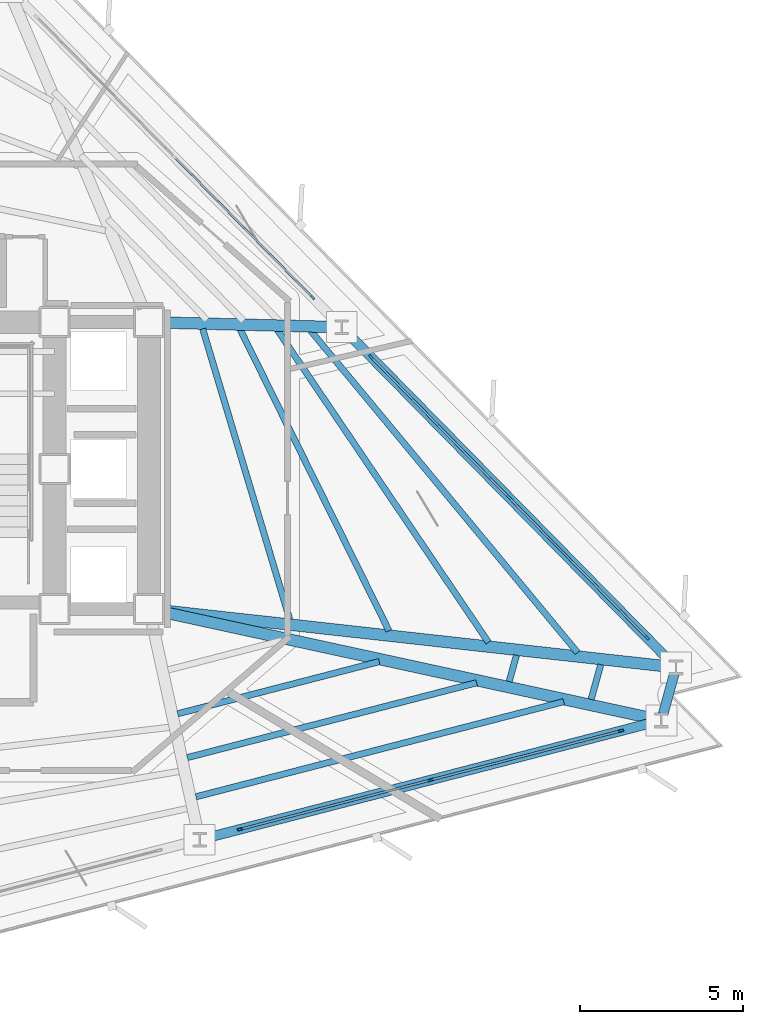
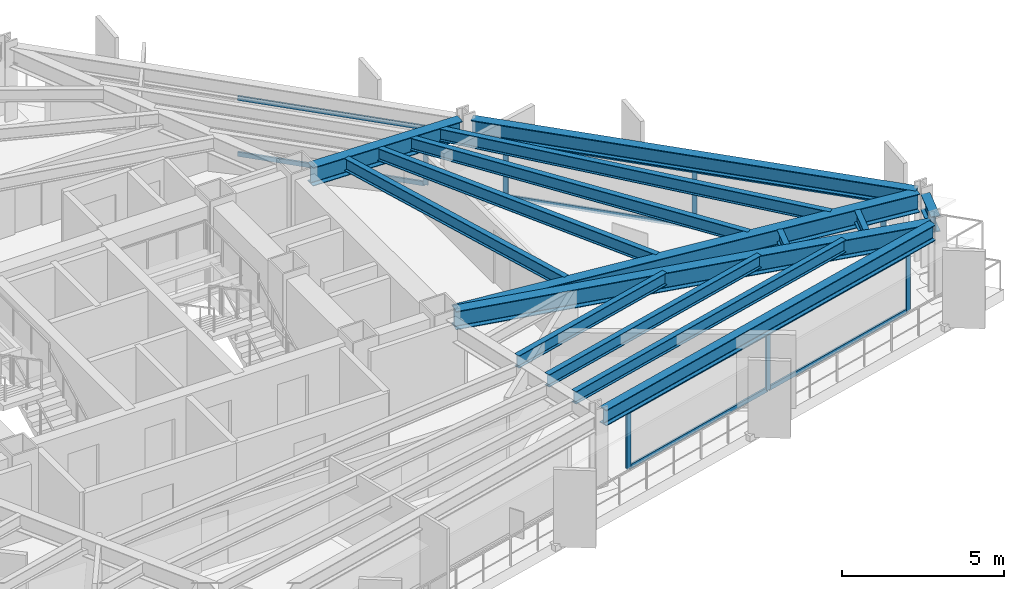
# One storey, part 4 of 11: 17 members, 15 beams, 3 elements without a shape of their own.
"""IFC4 building model written with IfcOpenShell, lengths in metres."""

from ifc_helpers import new_model, si_unit, direction, frame, origin, origin_2d, place, context, subcontext, project, spatial, rectangle, i_section, extrude, material, layer, layer_set, material_profile, profile_set, type_object, element, aggregate, save


model = new_model("IFC4")

# Units and contexts
model_context = context("Model", 3, precision=1e-05, world=origin(), true_north=direction((0.0, 1.0)))
body_context = subcontext(model_context, "Body", "Model", "MODEL_VIEW")
ifc_project = project(units=[si_unit("LENGTHUNIT", "METRE"), si_unit("AREAUNIT", "SQUARE_METRE"), si_unit("VOLUMEUNIT", "CUBIC_METRE"), si_unit("PLANEANGLEUNIT", "RADIAN"), si_unit("MASSUNIT", "GRAM", prefix="KILO")], contexts=[model_context])

# Site, building, storey
site_placement = place(None, origin())
site = spatial("IfcSite", under=ifc_project, at=site_placement, CompositionType="ELEMENT")
building_placement = place(site_placement, origin())
building = spatial("IfcBuilding", under=site, at=building_placement, Name="Rocaltana Carrier Exchange", CompositionType="ELEMENT")
storey_placement = place(building_placement, frame((0.0, 0.0, 76.47998046875)))
storey = spatial("IfcBuildingStorey", under=building, at=storey_placement, Name="L23", CompositionType="ELEMENT", Elevation=76.47998046875)

# Curtain wall, members
ifc_material_1 = material(Name="Aluminium 6063-T6", Category="aluminium")
ifc_layer = layer(ifc_material_1, 0.1650390625)
ifc_layer_set = layer_set([ifc_layer], Name="Aluminium 6063-T6")
curtain_wall_type = type_object("IfcCurtainWallType", Name="Lower-Mid Stepped Curtain Wall CW-02", PredefinedType="NOTDEFINED", material=ifc_layer_set)
curtain_wall_1_placement = place(storey_placement, origin())
curtain_wall_1 = element("IfcCurtainWall", 1, at=curtain_wall_1_placement, inside=storey, type_object=curtain_wall_type, Name="L23 CW-02 Run CW-L23-F1S1", PredefinedType="NOTDEFINED")
ifc_material_2 = material(Name="Aluminium 6063-T6", Category="aluminium")
ifc_material_profile_1 = material_profile(ifc_material_2, rectangle(XDim=0.06494140625, YDim=0.1650390625, at=origin_2d()), Name="AL-65X165")
ifc_profile_set_1 = profile_set([ifc_material_profile_1], Name="Aluminium 6063-T6")
member_type_1 = type_object("IfcMemberType", Name="CW-02 Mullion AL-65X165", PredefinedType="MULLION", material=ifc_profile_set_1)
member_1_placement = place(storey_placement, frame((24.21875, -5.1767578125, 0.0), z_axis=(0.0, 0.0, 1.0), x_axis=(-0.713244767898, -0.700915045542, 0.0)))
member_1 = element("IfcMember", 2, at=member_1_placement, type_object=member_type_1, Name="CW-02 mullion 1", PredefinedType="MULLION", context=body_context, shape_type="SweptSolid", body=[
    extrude(rectangle(XDim=0.06494140625, YDim=0.1650390625, at=origin_2d()), origin(), (0.0, 0.0, 1.0), 2.16796875),
])
member_2_placement = place(storey_placement, frame((19.989501953125, -0.872802734375, 0.0), z_axis=(0.0, 0.0, 1.0), x_axis=(-0.713244767898, -0.700915045542, 0.0)))
member_2 = element("IfcMember", 3, at=member_2_placement, type_object=member_type_1, Name="CW-02 mullion 2", PredefinedType="MULLION", context=body_context, shape_type="SweptSolid", body=[
    extrude(rectangle(XDim=0.06494140625, YDim=0.1650390625, at=origin_2d()), origin(), (0.0, 0.0, 1.0), 2.16796875),
])
member_3_placement = place(storey_placement, frame((15.760009765625, 3.430908203125, 0.0), z_axis=(0.0, 0.0, 1.0), x_axis=(-0.713244767898, -0.700915045542, 0.0)))
member_3 = element("IfcMember", 4, at=member_3_placement, type_object=member_type_1, Name="CW-02 mullion 3", PredefinedType="MULLION", context=body_context, shape_type="SweptSolid", body=[
    extrude(rectangle(XDim=0.06494140625, YDim=0.1650390625, at=origin_2d()), origin(), (0.0, 0.0, 1.0), 2.16796875),
])

# Curtain wall, member
curtain_wall_2_placement = place(storey_placement, origin())
curtain_wall_2 = element("IfcCurtainWall", 5, at=curtain_wall_2_placement, inside=storey, type_object=curtain_wall_type, Name="L23 CW-02 Run CW-L23-F1S2", PredefinedType="NOTDEFINED")
member_4_placement = place(storey_placement, frame((13.962158203125, 5.260498046875, 0.0), z_axis=(0.0, 0.0, 1.0), x_axis=(-0.713244696676, -0.700915118017, 0.0)))
member_4 = element("IfcMember", 6, at=member_4_placement, type_object=member_type_1, Name="CW-02 mullion 1", PredefinedType="MULLION", context=body_context, shape_type="SweptSolid", body=[
    extrude(rectangle(XDim=0.06494140625, YDim=0.1650390625, at=origin_2d()), origin(), (0.0, 0.0, 1.0), 2.16796875),
])

# Curtain wall, members
curtain_wall_3_placement = place(storey_placement, origin())
curtain_wall_3 = element("IfcCurtainWall", 7, at=curtain_wall_3_placement, inside=storey, type_object=curtain_wall_type, Name="L23 CW-02 Run CW-L23-F3S3", PredefinedType="NOTDEFINED")
member_5_placement = place(storey_placement, frame((11.741943359375, -11.057861328125, 0.0), z_axis=(0.0, 0.0, 1.0), x_axis=(-0.250370035526, 0.96815021836, 0.0)))
member_5 = element("IfcMember", 8, at=member_5_placement, type_object=member_type_1, Name="CW-02 mullion 1", PredefinedType="MULLION", context=body_context, shape_type="SweptSolid", body=[
    extrude(rectangle(XDim=0.06494140625, YDim=0.1650390625, at=origin_2d()), origin(), (0.0, 0.0, 1.0), 2.16796875),
])
member_6_placement = place(storey_placement, frame((17.583740234375, -9.547119140625, 0.0), z_axis=(0.0, 0.0, 1.0), x_axis=(-0.250370035526, 0.96815021836, 0.0)))
member_6 = element("IfcMember", 9, at=member_6_placement, type_object=member_type_1, Name="CW-02 mullion 2", PredefinedType="MULLION", context=body_context, shape_type="SweptSolid", body=[
    extrude(rectangle(XDim=0.06494140625, YDim=0.1650390625, at=origin_2d()), origin(), (0.0, 0.0, 1.0), 2.16796875),
])
member_7_placement = place(storey_placement, frame((23.42578125, -8.036376953125, 0.0), z_axis=(0.0, 0.0, 1.0), x_axis=(-0.250370035526, 0.96815021836, 0.0)))
member_7 = element("IfcMember", 10, at=member_7_placement, type_object=member_type_1, Name="CW-02 mullion 3", PredefinedType="MULLION", context=body_context, shape_type="SweptSolid", body=[
    extrude(rectangle(XDim=0.06494140625, YDim=0.1650390625, at=origin_2d()), origin(), (0.0, 0.0, 1.0), 2.16796875),
])

# Member
ifc_material_3 = material(Name="Aluminium 6063-T6", Category="aluminium")
ifc_material_profile_2 = material_profile(ifc_material_3, rectangle(XDim=0.06494140625, YDim=0.1650390625, at=origin_2d()), Name="AL-65X165")
ifc_profile_set_2 = profile_set([ifc_material_profile_2], Name="Aluminium 6063-T6")
member_type_2 = type_object("IfcMemberType", Name="CW-02 Transom AL-65X165", PredefinedType="USERDEFINED", material=ifc_profile_set_2)
member_8_placement = place(storey_placement, frame((24.196044921875, -5.153564453125, 0.032470703125), z_axis=(-0.700903905011, 0.713255715673, 0.0), x_axis=(-0.713255715673, -0.700903905011, 0.0)))
member_8 = element("IfcMember", 11, at=member_8_placement, type_object=member_type_2, Name="CW-02 transom 1.1", ObjectType="TRANSOM", PredefinedType="USERDEFINED", context=body_context, shape_type="SweptSolid", body=[
    extrude(rectangle(XDim=0.06494140625, YDim=0.1650390625, at=origin_2d()), origin(), (0.0, 0.0, 1.0), 5.96923828125),
])

member_9_placement = place(storey_placement, frame((24.196044921875, -5.153564453125, 2.135498046875), z_axis=(-0.700903905011, 0.713255715673, 0.0), x_axis=(-0.713255715673, -0.700903905011, 0.0)))
member_9 = element("IfcMember", 12, at=member_9_placement, type_object=member_type_2, Name="CW-02 transom 1.2", ObjectType="TRANSOM", PredefinedType="USERDEFINED", context=body_context, shape_type="SweptSolid", body=[
    extrude(rectangle(XDim=0.06494140625, YDim=0.1650390625, at=origin_2d()), origin(), (0.0, 0.0, 1.0), 5.96923828125),
])

member_10_placement = place(storey_placement, frame((19.966552734375, -0.849609375, 0.032470703125), z_axis=(-0.700924352217, 0.713235621985, 0.0), x_axis=(-0.713235621985, -0.700924352217, 0.0)))
member_10 = element("IfcMember", 13, at=member_10_placement, type_object=member_type_2, Name="CW-02 transom 2.1", ObjectType="TRANSOM", PredefinedType="USERDEFINED", context=body_context, shape_type="SweptSolid", body=[
    extrude(rectangle(XDim=0.06494140625, YDim=0.1650390625, at=origin_2d()), origin(), (0.0, 0.0, 1.0), 5.968994140625),
])

member_11_placement = place(storey_placement, frame((19.966552734375, -0.849609375, 2.135498046875), z_axis=(-0.700924352217, 0.713235621985, 0.0), x_axis=(-0.713235621985, -0.700924352217, 0.0)))
member_11 = element("IfcMember", 14, at=member_11_placement, type_object=member_type_2, Name="CW-02 transom 2.2", ObjectType="TRANSOM", PredefinedType="USERDEFINED", context=body_context, shape_type="SweptSolid", body=[
    extrude(rectangle(XDim=0.06494140625, YDim=0.1650390625, at=origin_2d()), origin(), (0.0, 0.0, 1.0), 5.968994140625),
])

aggregate(curtain_wall_1, [member_1, member_2, member_3, member_8, member_9, member_10, member_11])

member_12_placement = place(storey_placement, frame((13.939453125, 5.28369140625, 0.032470703125), z_axis=(-0.700903905011, 0.713255715673, 0.0), x_axis=(-0.713255715673, -0.700903905011, 0.0)))
member_12 = element("IfcMember", 15, at=member_12_placement, type_object=member_type_2, Name="CW-02 transom 1.1", ObjectType="TRANSOM", PredefinedType="USERDEFINED", context=body_context, shape_type="SweptSolid", body=[
    extrude(rectangle(XDim=0.06494140625, YDim=0.1650390625, at=origin_2d()), origin(), (0.0, 0.0, 1.0), 5.96923828125),
])

member_13_placement = place(storey_placement, frame((13.939453125, 5.28369140625, 2.135498046875), z_axis=(-0.700903905011, 0.713255715673, 0.0), x_axis=(-0.713255715673, -0.700903905011, 0.0)))
member_13 = element("IfcMember", 16, at=member_13_placement, type_object=member_type_2, Name="CW-02 transom 1.2", ObjectType="TRANSOM", PredefinedType="USERDEFINED", context=body_context, shape_type="SweptSolid", body=[
    extrude(rectangle(XDim=0.06494140625, YDim=0.1650390625, at=origin_2d()), origin(), (0.0, 0.0, 1.0), 5.96923828125),
])

aggregate(curtain_wall_2, [member_4, member_12, member_13])

member_14_placement = place(storey_placement, frame((11.7734375, -11.0498046875, 0.032470703125), z_axis=(0.968142466864, 0.250400007695, 0.0), x_axis=(-0.250400007695, 0.968142466864, 0.0)))
member_14 = element("IfcMember", 17, at=member_14_placement, type_object=member_type_2, Name="CW-02 transom 1.1", ObjectType="TRANSOM", PredefinedType="USERDEFINED", context=body_context, shape_type="SweptSolid", body=[
    extrude(rectangle(XDim=0.06494140625, YDim=0.1650390625, at=origin_2d()), origin(), (0.0, 0.0, 1.0), 5.968994140625),
])

member_15_placement = place(storey_placement, frame((11.7734375, -11.0498046875, 2.135498046875), z_axis=(0.968142466864, 0.250400007695, 0.0), x_axis=(-0.250400007695, 0.968142466864, 0.0)))
member_15 = element("IfcMember", 18, at=member_15_placement, type_object=member_type_2, Name="CW-02 transom 1.2", ObjectType="TRANSOM", PredefinedType="USERDEFINED", context=body_context, shape_type="SweptSolid", body=[
    extrude(rectangle(XDim=0.06494140625, YDim=0.1650390625, at=origin_2d()), origin(), (0.0, 0.0, 1.0), 5.968994140625),
])

member_16_placement = place(storey_placement, frame((17.615234375, -9.5390625, 0.032470703125), z_axis=(0.968145031253, 0.250390092575, 0.0), x_axis=(-0.250390092575, 0.968145031253, 0.0)))
member_16 = element("IfcMember", 19, at=member_16_placement, type_object=member_type_2, Name="CW-02 transom 2.1", ObjectType="TRANSOM", PredefinedType="USERDEFINED", context=body_context, shape_type="SweptSolid", body=[
    extrude(rectangle(XDim=0.06494140625, YDim=0.1650390625, at=origin_2d()), origin(), (0.0, 0.0, 1.0), 5.96923828125),
])

member_17_placement = place(storey_placement, frame((17.615234375, -9.5390625, 2.135498046875), z_axis=(0.968145031253, 0.250390092575, 0.0), x_axis=(-0.250390092575, 0.968145031253, 0.0)))
member_17 = element("IfcMember", 20, at=member_17_placement, type_object=member_type_2, Name="CW-02 transom 2.2", ObjectType="TRANSOM", PredefinedType="USERDEFINED", context=body_context, shape_type="SweptSolid", body=[
    extrude(rectangle(XDim=0.06494140625, YDim=0.1650390625, at=origin_2d()), origin(), (0.0, 0.0, 1.0), 5.96923828125),
])

aggregate(curtain_wall_3, [member_5, member_6, member_7, member_14, member_15, member_16, member_17])

# Beams
ifc_material_4 = material(Name="Steel S355", Category="steel")
ifc_material_profile_3 = material_profile(ifc_material_4, i_section(OverallWidth=0.193115234375, OverallDepth=0.466064453125, WebThickness=0.011474609375, FlangeThickness=0.01904296875, FilletRadius=0.013916015625, at=origin_2d()), Name="W18X65")
ifc_profile_set_3 = profile_set([ifc_material_profile_3], Name="Steel S355")
beam_type_1 = type_object("IfcBeamType", Name="Floor Joist W18X65", PredefinedType="JOIST", material=ifc_profile_set_3)
beam_1_placement = place(storey_placement, frame((13.26611328125, -4.619384765625, 2.554931640625), z_axis=(-0.287034949518, 0.95792011032, 0.0), x_axis=(-0.95792011032, -0.287034949518, 0.0)))
element("IfcBeam", 21, at=beam_1_placement, inside=storey, type_object=beam_type_1, Name="FJ-L23-01-1", PredefinedType="JOIST", context=body_context, shape_type="SweptSolid", body=[
    extrude(i_section(OverallWidth=0.193115234375, OverallDepth=0.466064453125, WebThickness=0.011474609375, FlangeThickness=0.01904296875, FilletRadius=0.013916015625, at=origin_2d()), origin(), (0.0, 0.0, 1.0), 9.30517578125),
])
beam_2_placement = place(storey_placement, frame((16.311279296875, -4.97021484375, 2.554931640625), z_axis=(-0.442813915887, 0.89661353765, 0.0), x_axis=(-0.89661353765, -0.442813915887, 0.0)))
element("IfcBeam", 22, at=beam_2_placement, inside=storey, type_object=beam_type_1, Name="FJ-L23-01-2", PredefinedType="JOIST", context=body_context, shape_type="SweptSolid", body=[
    extrude(i_section(OverallWidth=0.193115234375, OverallDepth=0.466064453125, WebThickness=0.011474609375, FlangeThickness=0.01904296875, FilletRadius=0.013916015625, at=origin_2d()), origin(), (0.0, 0.0, 1.0), 10.311767578125),
])
beam_3_placement = place(storey_placement, frame((19.363037109375, -5.322509765625, 2.554931640625), z_axis=(-0.55996593104, 0.828515634177, 0.0), x_axis=(-0.828515634177, -0.55996593104, 0.0)))
element("IfcBeam", 23, at=beam_3_placement, inside=storey, type_object=beam_type_1, Name="FJ-L23-01-3", PredefinedType="JOIST", context=body_context, shape_type="SweptSolid", body=[
    extrude(i_section(OverallWidth=0.193115234375, OverallDepth=0.466064453125, WebThickness=0.011474609375, FlangeThickness=0.01904296875, FilletRadius=0.013916015625, at=origin_2d()), origin(), (0.0, 0.0, 1.0), 11.56298828125),
])
beam_4_placement = place(storey_placement, frame((22.097900390625, -5.636962890625, 2.554931640625), z_axis=(-0.638314973765, 0.769775288164, 0.0), x_axis=(-0.769775288164, -0.638314973765, 0.0)))
element("IfcBeam", 24, at=beam_4_placement, inside=storey, type_object=beam_type_1, Name="FJ-L23-01-4", PredefinedType="JOIST", context=body_context, shape_type="SweptSolid", body=[
    extrude(i_section(OverallWidth=0.193115234375, OverallDepth=0.466064453125, WebThickness=0.011474609375, FlangeThickness=0.01904296875, FilletRadius=0.013916015625, at=origin_2d()), origin(), (0.0, 0.0, 1.0), 12.832763671875),
])
beam_5_placement = place(storey_placement, frame((9.8291015625, -7.513427734375, 2.554931640625), z_axis=(0.968143557315, 0.250395791558, 0.0), x_axis=(-0.250395791558, 0.968143557315, 0.0)))
element("IfcBeam", 25, at=beam_5_placement, inside=storey, type_object=beam_type_1, Name="FJ-L23-11-2", PredefinedType="JOIST", context=body_context, shape_type="SweptSolid", body=[
    extrude(i_section(OverallWidth=0.193115234375, OverallDepth=0.466064453125, WebThickness=0.011474609375, FlangeThickness=0.01904296875, FilletRadius=0.013916015625, at=origin_2d()), origin(), (0.0, 0.0, 1.0), 6.388427734375),
])
beam_6_placement = place(storey_placement, frame((10.123779296875, -8.8583984375, 2.554931640625), z_axis=(0.968146466447, 0.250384543264, 0.0), x_axis=(-0.250384543264, 0.968146466447, 0.0)))
element("IfcBeam", 26, at=beam_6_placement, inside=storey, type_object=beam_type_1, Name="FJ-L23-11-3", PredefinedType="JOIST", context=body_context, shape_type="SweptSolid", body=[
    extrude(i_section(OverallWidth=0.193115234375, OverallDepth=0.466064453125, WebThickness=0.011474609375, FlangeThickness=0.01904296875, FilletRadius=0.013916015625, at=origin_2d()), origin(), (0.0, 0.0, 1.0), 9.16845703125),
])
beam_7_placement = place(storey_placement, frame((10.38720703125, -10.061767578125, 2.554931640625), z_axis=(0.968148049608, 0.250378421674, 0.0), x_axis=(-0.250378421674, 0.968148049608, 0.0)))
element("IfcBeam", 27, at=beam_7_placement, inside=storey, type_object=beam_type_1, Name="FJ-L23-11-4", PredefinedType="JOIST", context=body_context, shape_type="SweptSolid", body=[
    extrude(i_section(OverallWidth=0.193115234375, OverallDepth=0.466064453125, WebThickness=0.011474609375, FlangeThickness=0.01904296875, FilletRadius=0.013916015625, at=origin_2d()), origin(), (0.0, 0.0, 1.0), 11.65625),
])
beam_8_placement = place(storey_placement, frame((19.998046875, -6.525390625, 2.554931640625), z_axis=(0.267312721501, 0.96360983231, 0.0), x_axis=(-0.96360983231, 0.267312721501, 0.0)))
element("IfcBeam", 28, at=beam_8_placement, inside=storey, type_object=beam_type_1, Name="FJ-L23-12-3", PredefinedType="JOIST", context=body_context, shape_type="SweptSolid", body=[
    extrude(i_section(OverallWidth=0.193115234375, OverallDepth=0.466064453125, WebThickness=0.011474609375, FlangeThickness=0.01904296875, FilletRadius=0.013916015625, at=origin_2d()), origin(), (0.0, 0.0, 1.0), 0.836669921875),
])
beam_9_placement = place(storey_placement, frame((22.5126953125, -7.07177734375, 2.554931640625), z_axis=(0.267336435307, 0.963603253605, 0.0), x_axis=(-0.963603253605, 0.267336435307, 0.0)))
element("IfcBeam", 29, at=beam_9_placement, inside=storey, type_object=beam_type_1, Name="FJ-L23-12-4", PredefinedType="JOIST", context=body_context, shape_type="SweptSolid", body=[
    extrude(i_section(OverallWidth=0.193115234375, OverallDepth=0.466064453125, WebThickness=0.011474609375, FlangeThickness=0.01904296875, FilletRadius=0.013916015625, at=origin_2d()), origin(), (0.0, 0.0, 1.0), 1.10595703125),
])
ifc_material_5 = material(Name="Steel S355", Category="steel")
ifc_material_profile_4 = material_profile(ifc_material_5, i_section(OverallWidth=0.35498046875, OverallDepth=0.695068359375, WebThickness=0.015380859375, FlangeThickness=0.02490234375, FilletRadius=0.01806640625, at=origin_2d()), Name="W27X146")
ifc_profile_set_4 = profile_set([ifc_material_profile_4], Name="Steel S355")
beam_type_2 = type_object("IfcBeamType", Name="Radial Girder W27X146", PredefinedType="BEAM", material=ifc_profile_set_4)
beam_10_placement = place(storey_placement, frame((9.414306640625, -4.351318359375, 2.4404296875), z_axis=(0.993916139966, -0.110139487535, 0.0), x_axis=(0.110139487535, 0.993916139966, 0.0)))
element("IfcBeam", 30, at=beam_10_placement, inside=storey, type_object=beam_type_2, Name="RG-L23-01", PredefinedType="BEAM", context=body_context, shape_type="SweptSolid", body=[
    extrude(i_section(OverallWidth=0.35498046875, OverallDepth=0.695068359375, WebThickness=0.015380859375, FlangeThickness=0.02490234375, FilletRadius=0.01806640625, at=origin_2d()), origin(), (0.0, 0.0, 1.0), 15.5986328125),
])
beam_11_placement = place(storey_placement, frame((9.416748046875, 4.48779296875, 2.4404296875), z_axis=(0.99965902203, -0.026112059941, 0.0), x_axis=(0.026112059941, 0.99965902203, 0.0)))
element("IfcBeam", 31, at=beam_11_placement, inside=storey, type_object=beam_type_2, Name="RG-L23-02", PredefinedType="BEAM", context=body_context, shape_type="SweptSolid", body=[
    extrude(i_section(OverallWidth=0.35498046875, OverallDepth=0.695068359375, WebThickness=0.015380859375, FlangeThickness=0.02490234375, FilletRadius=0.01806640625, at=origin_2d()), origin(), (0.0, 0.0, 1.0), 5.2451171875),
])
beam_12_placement = place(storey_placement, frame((9.406494140625, -4.399169921875, 2.4404296875), z_axis=(0.977195798541, -0.21234022538, 0.0), x_axis=(0.21234022538, 0.977195798541, 0.0)))
element("IfcBeam", 32, at=beam_12_placement, inside=storey, type_object=beam_type_2, Name="RG-L23-12", PredefinedType="BEAM", context=body_context, shape_type="SweptSolid", body=[
    extrude(i_section(OverallWidth=0.35498046875, OverallDepth=0.695068359375, WebThickness=0.015380859375, FlangeThickness=0.02490234375, FilletRadius=0.01806640625, at=origin_2d()), origin(), (0.0, 0.0, 1.0), 15.416015625),
])
ifc_material_6 = material(Name="Steel S355", Category="steel")
ifc_material_profile_5 = material_profile(ifc_material_6, i_section(OverallWidth=0.300048828125, OverallDepth=0.60009765625, WebThickness=0.015380859375, FlangeThickness=0.030029296875, FilletRadius=0.027099609375, at=origin_2d()), Name="HEB600")
ifc_profile_set_5 = profile_set([ifc_material_profile_5], Name="Steel S355")
beam_type_3 = type_object("IfcBeamType", Name="Spandrel Edge Beam HEB600", PredefinedType="SPANDREL", material=ifc_profile_set_5)
beam_13_placement = place(storey_placement, frame((24.976806640625, -5.947998046875, 2.488037109375), z_axis=(-0.700912568361, 0.713247202247, 0.0), x_axis=(-0.713247202247, -0.700912568361, 0.0)))
element("IfcBeam", 33, at=beam_13_placement, inside=storey, type_object=beam_type_3, Name="SP-L23-01", PredefinedType="SPANDREL", context=body_context, shape_type="SweptSolid", body=[
    extrude(i_section(OverallWidth=0.300048828125, OverallDepth=0.60009765625, WebThickness=0.015380859375, FlangeThickness=0.030029296875, FilletRadius=0.027099609375, at=origin_2d()), origin(), (0.0, 0.0, 1.0), 14.231201171875),
])
beam_14_placement = place(storey_placement, frame((10.69482421875, -11.32861328125, 2.488037109375), z_axis=(0.968147987083, 0.250378663444, 0.0), x_axis=(-0.250378663444, 0.968147987083, 0.0)))
element("IfcBeam", 34, at=beam_14_placement, inside=storey, type_object=beam_type_3, Name="SP-L23-11", PredefinedType="SPANDREL", context=body_context, shape_type="SweptSolid", body=[
    extrude(i_section(OverallWidth=0.300048828125, OverallDepth=0.60009765625, WebThickness=0.015380859375, FlangeThickness=0.030029296875, FilletRadius=0.027099609375, at=origin_2d()), origin(), (0.0, 0.0, 1.0), 14.2314453125),
])
beam_15_placement = place(storey_placement, frame((24.72119140625, -7.521484375, 2.488037109375), z_axis=(0.267172731541, 0.963648655642, 0.0), x_axis=(-0.963648655642, 0.267172731541, 0.0)))
element("IfcBeam", 35, at=beam_15_placement, inside=storey, type_object=beam_type_3, Name="SP-L23-12", PredefinedType="SPANDREL", context=body_context, shape_type="SweptSolid", body=[
    extrude(i_section(OverallWidth=0.300048828125, OverallDepth=0.60009765625, WebThickness=0.015380859375, FlangeThickness=0.030029296875, FilletRadius=0.027099609375, at=origin_2d()), origin(), (0.0, 0.0, 1.0), 1.282958984375),
])

save(model, "model.ifc")
